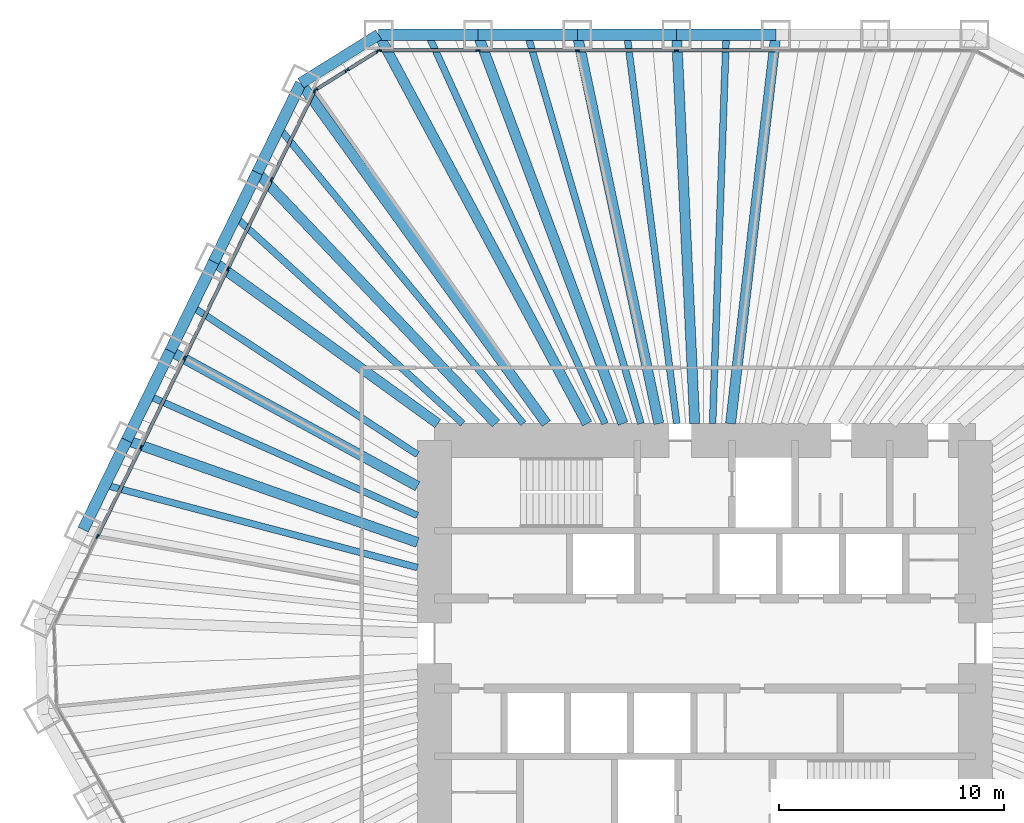
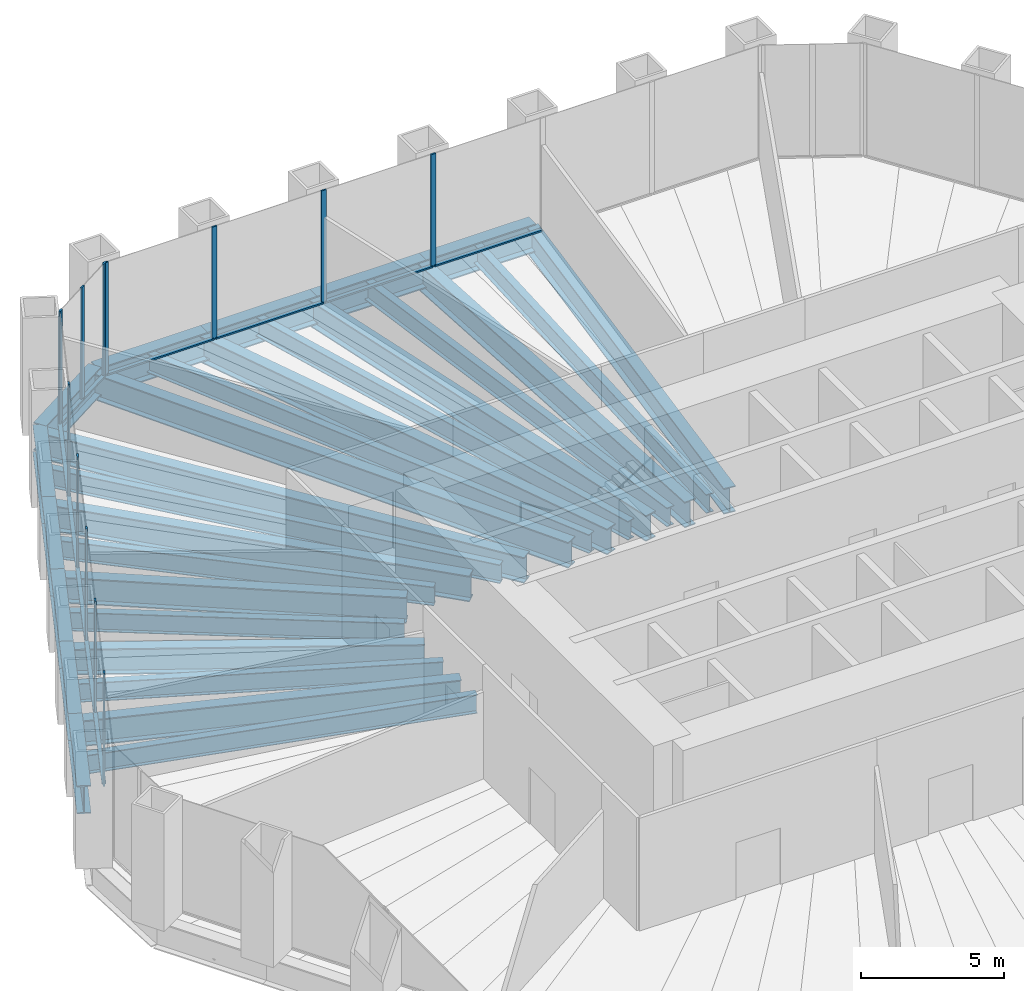
# One storey, part 6 of 13: 29 beams, 24 members, 3 elements without a shape of their own.
"""IFC4 building model written with IfcOpenShell, lengths in metres."""

from ifc_helpers import new_model, si_unit, direction, frame, origin, origin_2d, place, context, subcontext, project, spatial, rectangle, i_section, extrude, material, material_profile, profile_set, type_object, element, aggregate, save


model = new_model("IFC4")

# Units and contexts
model_context = context("Model", 3, precision=1e-05, world=origin(), true_north=direction((0.0, 1.0)))
body_context = subcontext(model_context, "Body", "Model", "MODEL_VIEW")
ifc_project = project(units=[si_unit("LENGTHUNIT", "METRE"), si_unit("AREAUNIT", "SQUARE_METRE"), si_unit("VOLUMEUNIT", "CUBIC_METRE"), si_unit("PLANEANGLEUNIT", "RADIAN"), si_unit("MASSUNIT", "GRAM", prefix="KILO")], contexts=[model_context])

# Site, building, storey
site_placement = place(None, origin())
site = spatial("IfcSite", under=ifc_project, at=site_placement, CompositionType="ELEMENT")
building_placement = place(site_placement, origin())
building = spatial("IfcBuilding", under=site, at=building_placement, Name="Qingtian Harvest Tower", CompositionType="ELEMENT")
storey_placement = place(building_placement, frame((0.0, 0.0, 62.0)))
storey = spatial("IfcBuildingStorey", under=building, at=storey_placement, Name="L12", CompositionType="ELEMENT", Elevation=62.0)

# Beams
ifc_material_1 = material(Name="Steel SM570MC", Category="steel")
ifc_material_profile_1 = material_profile(ifc_material_1, i_section(OverallWidth=0.449951171875, OverallDepth=1.10009765625, WebThickness=0.02197265625, FlangeThickness=0.044921875, at=origin_2d()), Name="H1100x450x22x45")
ifc_profile_set_1 = profile_set([ifc_material_profile_1], Name="Steel SM570MC")
beam_type_1 = type_object("IfcBeamType", Name="Corner floor beam FB8 H1100x450x22x45", PredefinedType="BEAM", material=ifc_profile_set_1)
beam_1_placement = place(storey_placement, frame((-14.471435546875, 27.0, -0.75), z_axis=(0.472401408299, -0.881383520062, 0.0), x_axis=(0.881383520062, 0.472401408299, 0.0)))
element("IfcBeam", 1, at=beam_1_placement, inside=storey, type_object=beam_type_1, Name="Floor beam FB8 N0", PredefinedType="BEAM", context=body_context, shape_type="SweptSolid", body=[
    extrude(i_section(OverallWidth=0.449951171875, OverallDepth=1.10009765625, WebThickness=0.02197265625, FlangeThickness=0.044921875, at=origin_2d()), origin(), (0.0, 0.0, 1.0), 19.571533203125),
])
beam_2_placement = place(storey_placement, frame((-17.923583984375, 24.8427734375, -0.75), z_axis=(0.585095822328, -0.810964166098, 0.0), x_axis=(0.810964166098, 0.585095822328, 0.0)))
element("IfcBeam", 2, at=beam_2_placement, inside=storey, type_object=beam_type_1, Name="Floor beam FB8 NW6", PredefinedType="BEAM", context=body_context, shape_type="SweptSolid", body=[
    extrude(i_section(OverallWidth=0.449951171875, OverallDepth=1.10009765625, WebThickness=0.02197265625, FlangeThickness=0.044921875, at=origin_2d()), origin(), (0.0, 0.0, 1.0), 18.61083984375),
])
ifc_material_2 = material(Name="Steel SM570MC", Category="steel")
ifc_material_profile_2 = material_profile(ifc_material_2, i_section(OverallWidth=0.449951171875, OverallDepth=1.10009765625, WebThickness=0.02197265625, FlangeThickness=0.044921875, at=origin_2d()), Name="H1100x450x22x45")
ifc_profile_set_2 = profile_set([ifc_material_profile_2], Name="Steel SM570MC")
beam_type_2 = type_object("IfcBeamType", Name="Floor beam FB1 H1100x450x22x45", PredefinedType="BEAM", material=ifc_profile_set_2)
beam_3_placement = place(storey_placement, frame((-10.06689453125, 27.0, -0.75), z_axis=(0.349355612113, -0.936990211414, 0.0), x_axis=(0.936990211414, 0.349355612113, 0.0)))
element("IfcBeam", 3, at=beam_3_placement, inside=storey, type_object=beam_type_2, Name="Floor beam FB1 N1", PredefinedType="BEAM", context=body_context, shape_type="SweptSolid", body=[
    extrude(i_section(OverallWidth=0.449951171875, OverallDepth=1.10009765625, WebThickness=0.02197265625, FlangeThickness=0.044921875, at=origin_2d()), origin(), (0.0, 0.0, 1.0), 18.409912109375),
])
beam_4_placement = place(storey_placement, frame((-5.662353515625, 27.0, -0.75), z_axis=(0.205255077335, -0.978708512903, 0.0), x_axis=(0.978708512903, 0.205255077335, 0.0)))
element("IfcBeam", 4, at=beam_4_placement, inside=storey, type_object=beam_type_2, Name="Floor beam FB1 N2", PredefinedType="BEAM", context=body_context, shape_type="SweptSolid", body=[
    extrude(i_section(OverallWidth=0.449951171875, OverallDepth=1.10009765625, WebThickness=0.02197265625, FlangeThickness=0.044921875, at=origin_2d()), origin(), (0.0, 0.0, 1.0), 17.625244140625),
])
beam_5_placement = place(storey_placement, frame((-1.257568359375, 27.0, -0.75), z_axis=(0.046527342366, -0.99891701678, 0.0), x_axis=(0.99891701678, 0.046527342366, 0.0)))
element("IfcBeam", 5, at=beam_5_placement, inside=storey, type_object=beam_type_2, Name="Floor beam FB1 N3", PredefinedType="BEAM", context=body_context, shape_type="SweptSolid", body=[
    extrude(i_section(OverallWidth=0.449951171875, OverallDepth=1.10009765625, WebThickness=0.02197265625, FlangeThickness=0.044921875, at=origin_2d()), origin(), (0.0, 0.0, 1.0), 17.268798828125),
])
beam_6_placement = place(storey_placement, frame((3.14697265625, 27.0, -0.75), z_axis=(-0.115766971807, -0.993276400726, 0.0), x_axis=(0.993276400726, -0.115766971807, 0.0)))
element("IfcBeam", 6, at=beam_6_placement, inside=storey, type_object=beam_type_2, Name="Floor beam FB1 N4", PredefinedType="BEAM", context=body_context, shape_type="SweptSolid", body=[
    extrude(i_section(OverallWidth=0.449951171875, OverallDepth=1.10009765625, WebThickness=0.02197265625, FlangeThickness=0.044921875, at=origin_2d()), origin(), (0.0, 0.0, 1.0), 17.36669921875),
])
beam_7_placement = place(storey_placement, frame((-25.64697265625, 9.007568359375, -0.75), z_axis=(0.943501950009, -0.331366972296, 0.0), x_axis=(0.331366972296, 0.943501950009, 0.0)))
element("IfcBeam", 7, at=beam_7_placement, inside=storey, type_object=beam_type_2, Name="Floor beam FB1 NW2", PredefinedType="BEAM", context=body_context, shape_type="SweptSolid", body=[
    extrude(i_section(OverallWidth=0.449951171875, OverallDepth=1.10009765625, WebThickness=0.02197265625, FlangeThickness=0.044921875, at=origin_2d()), origin(), (0.0, 0.0, 1.0), 13.669189453125),
])
beam_8_placement = place(storey_placement, frame((-23.716064453125, 12.96630859375, -0.75), z_axis=(0.877428569154, -0.479707312882, 0.0), x_axis=(0.479707312882, 0.877428569154, 0.0)))
element("IfcBeam", 8, at=beam_8_placement, inside=storey, type_object=beam_type_2, Name="Floor beam FB1 NW3", PredefinedType="BEAM", context=body_context, shape_type="SweptSolid", body=[
    extrude(i_section(OverallWidth=0.449951171875, OverallDepth=1.10009765625, WebThickness=0.02197265625, FlangeThickness=0.044921875, at=origin_2d()), origin(), (0.0, 0.0, 1.0), 12.498046875),
])
beam_9_placement = place(storey_placement, frame((-21.78515625, 16.92529296875, -0.75), z_axis=(0.810680279019, -0.585489099139, 0.0), x_axis=(0.585489099139, 0.810680279019, 0.0)))
element("IfcBeam", 9, at=beam_9_placement, inside=storey, type_object=beam_type_2, Name="Floor beam FB1 NW4", PredefinedType="BEAM", context=body_context, shape_type="SweptSolid", body=[
    extrude(i_section(OverallWidth=0.449951171875, OverallDepth=1.10009765625, WebThickness=0.02197265625, FlangeThickness=0.044921875, at=origin_2d()), origin(), (0.0, 0.0, 1.0), 12.255126953125),
])
beam_10_placement = place(storey_placement, frame((-19.8544921875, 20.884033203125, -0.75), z_axis=(0.689018801535, -0.724743465739, 0.0), x_axis=(0.724743465739, 0.689018801535, 0.0)))
element("IfcBeam", 10, at=beam_10_placement, inside=storey, type_object=beam_type_2, Name="Floor beam FB1 NW5", PredefinedType="BEAM", context=body_context, shape_type="SweptSolid", body=[
    extrude(i_section(OverallWidth=0.449951171875, OverallDepth=1.10009765625, WebThickness=0.02197265625, FlangeThickness=0.044921875, at=origin_2d()), origin(), (0.0, 0.0, 1.0), 15.36279296875),
])
ifc_material_3 = material(Name="Steel SN490B", Category="steel")
ifc_material_profile_3 = material_profile(ifc_material_3, i_section(OverallWidth=0.300048828125, OverallDepth=0.800048828125, WebThickness=0.013916015625, FlangeThickness=0.02587890625, at=origin_2d()), Name="H800x300x14x26")
ifc_profile_set_3 = profile_set([ifc_material_profile_3], Name="Steel SN490B")
beam_type_3 = type_object("IfcBeamType", Name="Floor joist J1 H800x300x14x26", PredefinedType="JOIST", material=ifc_profile_set_3)
beam_11_placement = place(storey_placement, frame((-12.269287109375, 27.0, -0.60009765625), z_axis=(0.413713629402, -0.910407069858, 0.0), x_axis=(0.910407069858, 0.413713629402, 0.0)))
element("IfcBeam", 11, at=beam_11_placement, inside=storey, type_object=beam_type_3, Name="Floor joist J1 N0", PredefinedType="JOIST", context=body_context, shape_type="SweptSolid", body=[
    extrude(i_section(OverallWidth=0.300048828125, OverallDepth=0.800048828125, WebThickness=0.013916015625, FlangeThickness=0.02587890625, at=origin_2d()), origin(), (0.0, 0.0, 1.0), 18.947509765625),
])
beam_12_placement = place(storey_placement, frame((-7.864501953125, 27.0, -0.60009765625), z_axis=(0.279649335299, -0.960102207719, 0.0), x_axis=(0.960102207719, 0.279649335299, 0.0)))
element("IfcBeam", 12, at=beam_12_placement, inside=storey, type_object=beam_type_3, Name="Floor joist J1 N1", PredefinedType="JOIST", context=body_context, shape_type="SweptSolid", body=[
    extrude(i_section(OverallWidth=0.300048828125, OverallDepth=0.800048828125, WebThickness=0.013916015625, FlangeThickness=0.02587890625, at=origin_2d()), origin(), (0.0, 0.0, 1.0), 17.966796875),
])
beam_13_placement = place(storey_placement, frame((-3.4599609375, 27.0, -0.60009765625), z_axis=(0.127102696173, -0.991889562716, 0.0), x_axis=(0.991889562716, 0.127102696173, 0.0)))
element("IfcBeam", 13, at=beam_13_placement, inside=storey, type_object=beam_type_3, Name="Floor joist J1 N2", PredefinedType="JOIST", context=body_context, shape_type="SweptSolid", body=[
    extrude(i_section(OverallWidth=0.300048828125, OverallDepth=0.800048828125, WebThickness=0.013916015625, FlangeThickness=0.02587890625, at=origin_2d()), origin(), (0.0, 0.0, 1.0), 17.39111328125),
])
beam_14_placement = place(storey_placement, frame((0.944580078125, 27.0, -0.60009765625), z_axis=(-0.034965020137, -0.99938853674, 0.0), x_axis=(0.99938853674, -0.034965020137, 0.0)))
element("IfcBeam", 14, at=beam_14_placement, inside=storey, type_object=beam_type_3, Name="Floor joist J1 N3", PredefinedType="JOIST", context=body_context, shape_type="SweptSolid", body=[
    extrude(i_section(OverallWidth=0.300048828125, OverallDepth=0.800048828125, WebThickness=0.013916015625, FlangeThickness=0.02587890625, at=origin_2d()), origin(), (0.0, 0.0, 1.0), 17.260498046875),
])
beam_15_placement = place(storey_placement, frame((-26.6123046875, 7.028076171875, -0.60009765625), z_axis=(0.966852496992, -0.255335561684, 0.0), x_axis=(0.255335561684, 0.966852496992, 0.0)))
element("IfcBeam", 15, at=beam_15_placement, inside=storey, type_object=beam_type_3, Name="Floor joist J1 NW1", PredefinedType="JOIST", context=body_context, shape_type="SweptSolid", body=[
    extrude(i_section(OverallWidth=0.300048828125, OverallDepth=0.800048828125, WebThickness=0.013916015625, FlangeThickness=0.02587890625, at=origin_2d()), origin(), (0.0, 0.0, 1.0), 14.337646484375),
])
beam_16_placement = place(storey_placement, frame((-24.681640625, 10.987060546875, -0.60009765625), z_axis=(0.913567796195, -0.406686466157, 0.0), x_axis=(0.406686466157, 0.913567796195, 0.0)))
element("IfcBeam", 16, at=beam_16_placement, inside=storey, type_object=beam_type_3, Name="Floor joist J1 NW2", PredefinedType="JOIST", context=body_context, shape_type="SweptSolid", body=[
    extrude(i_section(OverallWidth=0.300048828125, OverallDepth=0.800048828125, WebThickness=0.013916015625, FlangeThickness=0.02587890625, at=origin_2d()), origin(), (0.0, 0.0, 1.0), 13.060546875),
])
beam_17_placement = place(storey_placement, frame((-22.750732421875, 14.94580078125, -0.60009765625), z_axis=(0.835785467613, -0.549056146607, 0.0), x_axis=(0.549056146607, 0.835785467613, 0.0)))
element("IfcBeam", 17, at=beam_17_placement, inside=storey, type_object=beam_type_3, Name="Floor joist J1 NW3", PredefinedType="JOIST", context=body_context, shape_type="SweptSolid", body=[
    extrude(i_section(OverallWidth=0.300048828125, OverallDepth=0.800048828125, WebThickness=0.013916015625, FlangeThickness=0.02587890625, at=origin_2d()), origin(), (0.0, 0.0, 1.0), 11.965576171875),
])
beam_18_placement = place(storey_placement, frame((-20.81982421875, 18.904541015625, -0.60009765625), z_axis=(0.740339866926, -0.672232758381, 0.0), x_axis=(0.672232758381, 0.740339866926, 0.0)))
element("IfcBeam", 18, at=beam_18_placement, inside=storey, type_object=beam_type_3, Name="Floor joist J1 NW4", PredefinedType="JOIST", context=body_context, shape_type="SweptSolid", body=[
    extrude(i_section(OverallWidth=0.300048828125, OverallDepth=0.800048828125, WebThickness=0.013916015625, FlangeThickness=0.02587890625, at=origin_2d()), origin(), (0.0, 0.0, 1.0), 13.6181640625),
])
beam_19_placement = place(storey_placement, frame((-18.888916015625, 22.863525390625, -0.60009765625), z_axis=(0.636910378144, -0.77093785107, 0.0), x_axis=(0.77093785107, 0.636910378144, 0.0)))
element("IfcBeam", 19, at=beam_19_placement, inside=storey, type_object=beam_type_3, Name="Floor joist J1 NW5", PredefinedType="JOIST", context=body_context, shape_type="SweptSolid", body=[
    extrude(i_section(OverallWidth=0.300048828125, OverallDepth=0.800048828125, WebThickness=0.013916015625, FlangeThickness=0.02587890625, at=origin_2d()), origin(), (0.0, 0.0, 1.0), 17.009765625),
])

# Curtain wall, members
ifc_material_4 = material(Name="Bronze-anodised aluminium curtain wall", Category="aluminium")
curtain_wall_type = type_object("IfcCurtainWallType", Name="Curtain wall CW2 farm reception", PredefinedType="USERDEFINED", material=ifc_material_4)
curtain_wall_1_placement = place(storey_placement, origin())
curtain_wall_1 = element("IfcCurtainWall", 20, at=curtain_wall_1_placement, inside=storey, type_object=curtain_wall_type, Name="Curtain wall CW2 L12 N0-5", ObjectType="RECESSED CURTAIN WALL", PredefinedType="USERDEFINED")
ifc_material_5 = material(Name="Bronze-anodised aluminium mullion", Category="aluminium")
ifc_material_profile_4 = material_profile(ifc_material_5, rectangle(XDim=0.06494140625, YDim=0.199951171875, at=origin_2d()), Name="AL 65x200")
ifc_profile_set_4 = profile_set([ifc_material_profile_4], Name="Bronze-anodised aluminium mullion")
member_type_1 = type_object("IfcMemberType", Name="Mullion CWM 65x200", PredefinedType="MULLION", material=ifc_profile_set_4)
member_1_placement = place(storey_placement, frame((-14.43896484375, 26.300048828125, 0.0), z_axis=(0.0, 0.0, 1.0), x_axis=(0.0, 1.0, 0.0)))
member_1 = element("IfcMember", 21, at=member_1_placement, type_object=member_type_1, Name="CW2 mullion 1", PredefinedType="MULLION", context=body_context, shape_type="SweptSolid", body=[
    extrude(rectangle(XDim=0.06494140625, YDim=0.199951171875, at=origin_2d()), origin(), (0.0, 0.0, 1.0), 4.800048828125),
])
member_2_placement = place(storey_placement, frame((-10.06689453125, 26.300048828125, 0.0), z_axis=(0.0, 0.0, 1.0), x_axis=(0.0, 1.0, 0.0)))
member_2 = element("IfcMember", 22, at=member_2_placement, type_object=member_type_1, Name="CW2 mullion 2", PredefinedType="MULLION", context=body_context, shape_type="SweptSolid", body=[
    extrude(rectangle(XDim=0.06494140625, YDim=0.199951171875, at=origin_2d()), origin(), (0.0, 0.0, 1.0), 4.800048828125),
])
member_3_placement = place(storey_placement, frame((-5.662353515625, 26.300048828125, 0.0), z_axis=(0.0, 0.0, 1.0), x_axis=(0.0, 1.0, 0.0)))
member_3 = element("IfcMember", 23, at=member_3_placement, type_object=member_type_1, Name="CW2 mullion 3", PredefinedType="MULLION", context=body_context, shape_type="SweptSolid", body=[
    extrude(rectangle(XDim=0.06494140625, YDim=0.199951171875, at=origin_2d()), origin(), (0.0, 0.0, 1.0), 4.800048828125),
])
member_4_placement = place(storey_placement, frame((-1.257568359375, 26.300048828125, 0.0), z_axis=(0.0, 0.0, 1.0), x_axis=(0.0, 1.0, 0.0)))
member_4 = element("IfcMember", 24, at=member_4_placement, type_object=member_type_1, Name="CW2 mullion 4", PredefinedType="MULLION", context=body_context, shape_type="SweptSolid", body=[
    extrude(rectangle(XDim=0.06494140625, YDim=0.199951171875, at=origin_2d()), origin(), (0.0, 0.0, 1.0), 4.800048828125),
])

curtain_wall_2_placement = place(storey_placement, origin())
curtain_wall_2 = element("IfcCurtainWall", 25, at=curtain_wall_2_placement, inside=storey, type_object=curtain_wall_type, Name="Curtain wall CW2 L12 NW0-5", ObjectType="RECESSED CURTAIN WALL", PredefinedType="USERDEFINED")
member_5_placement = place(storey_placement, frame((-26.94873046875, 4.741943359375, 0.0), z_axis=(0.0, 0.0, 1.0), x_axis=(-0.898794046299, 0.438371146789, 0.0)))
member_5 = element("IfcMember", 26, at=member_5_placement, type_object=member_type_1, Name="CW2 mullion 2", PredefinedType="MULLION", context=body_context, shape_type="SweptSolid", body=[
    extrude(rectangle(XDim=0.06494140625, YDim=0.199951171875, at=origin_2d()), origin(), (0.0, 0.0, 1.0), 4.800048828125),
])
member_6_placement = place(storey_placement, frame((-25.017822265625, 8.70068359375, 0.0), z_axis=(0.0, 0.0, 1.0), x_axis=(-0.898794046299, 0.438371146789, 0.0)))
member_6 = element("IfcMember", 27, at=member_6_placement, type_object=member_type_1, Name="CW2 mullion 3", PredefinedType="MULLION", context=body_context, shape_type="SweptSolid", body=[
    extrude(rectangle(XDim=0.06494140625, YDim=0.199951171875, at=origin_2d()), origin(), (0.0, 0.0, 1.0), 4.800048828125),
])
member_7_placement = place(storey_placement, frame((-23.0869140625, 12.659423828125, 0.0), z_axis=(0.0, 0.0, 1.0), x_axis=(-0.898794046299, 0.438371146789, 0.0)))
member_7 = element("IfcMember", 28, at=member_7_placement, type_object=member_type_1, Name="CW2 mullion 4", PredefinedType="MULLION", context=body_context, shape_type="SweptSolid", body=[
    extrude(rectangle(XDim=0.06494140625, YDim=0.199951171875, at=origin_2d()), origin(), (0.0, 0.0, 1.0), 4.800048828125),
])
member_8_placement = place(storey_placement, frame((-21.156005859375, 16.618408203125, 0.0), z_axis=(0.0, 0.0, 1.0), x_axis=(-0.898794046299, 0.438371146789, 0.0)))
member_8 = element("IfcMember", 29, at=member_8_placement, type_object=member_type_1, Name="CW2 mullion 5", PredefinedType="MULLION", context=body_context, shape_type="SweptSolid", body=[
    extrude(rectangle(XDim=0.06494140625, YDim=0.199951171875, at=origin_2d()), origin(), (0.0, 0.0, 1.0), 4.800048828125),
])
member_9_placement = place(storey_placement, frame((-19.225341796875, 20.5771484375, 0.0), z_axis=(0.0, 0.0, 1.0), x_axis=(-0.898794046299, 0.438371146789, 0.0)))
member_9 = element("IfcMember", 30, at=member_9_placement, type_object=member_type_1, Name="CW2 mullion 6", PredefinedType="MULLION", context=body_context, shape_type="SweptSolid", body=[
    extrude(rectangle(XDim=0.06494140625, YDim=0.199951171875, at=origin_2d()), origin(), (0.0, 0.0, 1.0), 4.800048828125),
])
member_10_placement = place(storey_placement, frame((-17.30859375, 24.5068359375, 0.0), z_axis=(0.0, 0.0, 1.0), x_axis=(-0.898794046299, 0.438371146789, 0.0)))
member_10 = element("IfcMember", 31, at=member_10_placement, type_object=member_type_1, Name="CW2 mullion 7", PredefinedType="MULLION", context=body_context, shape_type="SweptSolid", body=[
    extrude(rectangle(XDim=0.06494140625, YDim=0.199951171875, at=origin_2d()), origin(), (0.0, 0.0, 1.0), 4.800048828125),
])

curtain_wall_3_placement = place(storey_placement, origin())
curtain_wall_3 = element("IfcCurtainWall", 32, at=curtain_wall_3_placement, inside=storey, type_object=curtain_wall_type, Name="Curtain wall CW2 L12 NWC", ObjectType="RECESSED CURTAIN WALL", PredefinedType="USERDEFINED")
member_11_placement = place(storey_placement, frame((-17.266845703125, 24.55322265625, 0.0), z_axis=(0.0, 0.0, 1.0), x_axis=(-0.529919264233, 0.848048096156, 0.0)))
member_11 = element("IfcMember", 33, at=member_11_placement, type_object=member_type_1, Name="CW2 mullion 1", PredefinedType="MULLION", context=body_context, shape_type="SweptSolid", body=[
    extrude(rectangle(XDim=0.06494140625, YDim=0.199951171875, at=origin_2d()), origin(), (0.0, 0.0, 1.0), 4.800048828125),
])
member_12_placement = place(storey_placement, frame((-15.883056640625, 25.41796875, 0.0), z_axis=(0.0, 0.0, 1.0), x_axis=(-0.529919264233, 0.848048096156, 0.0)))
member_12 = element("IfcMember", 34, at=member_12_placement, type_object=member_type_1, Name="CW2 mullion 2", PredefinedType="MULLION", context=body_context, shape_type="SweptSolid", body=[
    extrude(rectangle(XDim=0.06494140625, YDim=0.199951171875, at=origin_2d()), origin(), (0.0, 0.0, 1.0), 4.800048828125),
])
member_13_placement = place(storey_placement, frame((-14.4990234375, 26.28271484375, 0.0), z_axis=(0.0, 0.0, 1.0), x_axis=(-0.529919264233, 0.848048096156, 0.0)))
member_13 = element("IfcMember", 35, at=member_13_placement, type_object=member_type_1, Name="CW2 mullion 3", PredefinedType="MULLION", context=body_context, shape_type="SweptSolid", body=[
    extrude(rectangle(XDim=0.06494140625, YDim=0.199951171875, at=origin_2d()), origin(), (0.0, 0.0, 1.0), 4.800048828125),
])

# Beams
ifc_material_6 = material(Name="Steel SM570MC", Category="steel")
ifc_material_profile_5 = material_profile(ifc_material_6, i_section(OverallWidth=0.5, OverallDepth=1.199951171875, WebThickness=0.02490234375, FlangeThickness=0.050048828125, at=origin_2d()), Name="H1200x500x25x50")
ifc_profile_set_5 = profile_set([ifc_material_profile_5], Name="Steel SM570MC")
beam_type_4 = type_object("IfcBeamType", Name="Spandrel beam SB1 H1200x500x25x50", PredefinedType="SPANDREL", material=ifc_profile_set_5)
for number, where, z_axis, x_axis, name in (
    (36, (-14.471435546875, 27.0, -0.60009765625), (1.0, 0.0, 0.0), (0.0, 1.0, 0.0), "Spandrel SB1 N0"),
    (37, (-10.06689453125, 27.0, -0.60009765625), (1.0, 0.0, 0.0), (0.0, 1.0, 0.0), "Spandrel SB1 N1"),
):
    element("IfcBeam", number, at=place(storey_placement, frame(where, z_axis=z_axis, x_axis=x_axis)), inside=storey, type_object=beam_type_4, Name=name, PredefinedType="SPANDREL", context=body_context, shape_type="SweptSolid", body=[
        extrude(i_section(OverallWidth=0.5, OverallDepth=1.199951171875, WebThickness=0.02490234375, FlangeThickness=0.050048828125, at=origin_2d()), origin(), (0.0, 0.0, 1.0), 4.404541015625),
    ])
beam_20_placement = place(storey_placement, frame((-5.662353515625, 27.0, -0.60009765625), z_axis=(1.0, 0.0, 0.0), x_axis=(0.0, 1.0, 0.0)))
element("IfcBeam", 38, at=beam_20_placement, inside=storey, type_object=beam_type_4, Name="Spandrel SB1 N2", PredefinedType="SPANDREL", context=body_context, shape_type="SweptSolid", body=[
    extrude(i_section(OverallWidth=0.5, OverallDepth=1.199951171875, WebThickness=0.02490234375, FlangeThickness=0.050048828125, at=origin_2d()), origin(), (0.0, 0.0, 1.0), 4.40478515625),
])
for number, where, z_axis, x_axis, name in (
    (39, (-1.257568359375, 27.0, -0.60009765625), (1.0, 0.0, 0.0), (0.0, 1.0, 0.0), "Spandrel SB1 N3"),
    (40, (-27.577880859375, 5.048828125, -0.60009765625), (0.438389777529, 0.898784959241, 0.0), (-0.898784959241, 0.438389777529, 0.0), "Spandrel SB1 NW1"),
    (41, (-25.64697265625, 9.007568359375, -0.60009765625), (0.438389777529, 0.898784959241, 0.0), (-0.898784959241, 0.438389777529, 0.0), "Spandrel SB1 NW2"),
):
    element("IfcBeam", number, at=place(storey_placement, frame(where, z_axis=z_axis, x_axis=x_axis)), inside=storey, type_object=beam_type_4, Name=name, PredefinedType="SPANDREL", context=body_context, shape_type="SweptSolid", body=[
        extrude(i_section(OverallWidth=0.5, OverallDepth=1.199951171875, WebThickness=0.02490234375, FlangeThickness=0.050048828125, at=origin_2d()), origin(), (0.0, 0.0, 1.0), 4.404541015625),
    ])
beam_21_placement = place(storey_placement, frame((-23.716064453125, 12.96630859375, -0.60009765625), z_axis=(0.438367938366, 0.898795611145, 0.0), x_axis=(-0.898795611145, 0.438367938366, 0.0)))
element("IfcBeam", 42, at=beam_21_placement, inside=storey, type_object=beam_type_4, Name="Spandrel SB1 NW3", PredefinedType="SPANDREL", context=body_context, shape_type="SweptSolid", body=[
    extrude(i_section(OverallWidth=0.5, OverallDepth=1.199951171875, WebThickness=0.02490234375, FlangeThickness=0.050048828125, at=origin_2d()), origin(), (0.0, 0.0, 1.0), 4.40478515625),
])
for number, where, z_axis, x_axis, name in (
    (43, (-21.78515625, 16.92529296875, -0.60009765625), (0.438344999367, 0.898806798778, 0.0), (-0.898806798778, 0.438344999367, 0.0), "Spandrel SB1 NW4"),
    (44, (-19.8544921875, 20.884033203125, -0.60009765625), (0.438389777529, 0.898784959241, 0.0), (-0.898784959241, 0.438389777529, 0.0), "Spandrel SB1 NW5"),
):
    element("IfcBeam", number, at=place(storey_placement, frame(where, z_axis=z_axis, x_axis=x_axis)), inside=storey, type_object=beam_type_4, Name=name, PredefinedType="SPANDREL", context=body_context, shape_type="SweptSolid", body=[
        extrude(i_section(OverallWidth=0.5, OverallDepth=1.199951171875, WebThickness=0.02490234375, FlangeThickness=0.050048828125, at=origin_2d()), origin(), (0.0, 0.0, 1.0), 4.404541015625),
    ])
beam_22_placement = place(storey_placement, frame((-17.923583984375, 24.8427734375, -0.60009765625), z_axis=(0.848038733752, 0.529934246919, 0.0), x_axis=(-0.529934246919, 0.848038733752, 0.0)))
element("IfcBeam", 45, at=beam_22_placement, inside=storey, type_object=beam_type_4, Name="Spandrel SB1 NWC", PredefinedType="SPANDREL", context=body_context, shape_type="SweptSolid", body=[
    extrude(i_section(OverallWidth=0.5, OverallDepth=1.199951171875, WebThickness=0.02490234375, FlangeThickness=0.050048828125, at=origin_2d()), origin(), (0.0, 0.0, 1.0), 4.07080078125),
])

# Member
ifc_material_7 = material(Name="Bronze-anodised aluminium transom", Category="aluminium")
ifc_material_profile_6 = material_profile(ifc_material_7, rectangle(XDim=0.14990234375, YDim=0.06494140625, at=origin_2d()), Name="AL 65x150")
ifc_profile_set_6 = profile_set([ifc_material_profile_6], Name="Bronze-anodised aluminium transom")
member_type_2 = type_object("IfcMemberType", Name="Transom CWT 65x150", PredefinedType="USERDEFINED", material=ifc_profile_set_6)
member_14_placement = place(storey_placement, frame((-14.406494140625, 26.300048828125, 0.032470703125), z_axis=(1.0, 0.0, 0.0), x_axis=(0.0, 1.0, 0.0)))
member_14 = element("IfcMember", 46, at=member_14_placement, type_object=member_type_2, Name="CW2 transom 1.1", ObjectType="TRANSOM", PredefinedType="USERDEFINED", context=body_context, shape_type="SweptSolid", body=[
    extrude(rectangle(XDim=0.14990234375, YDim=0.06494140625, at=origin_2d()), origin(), (0.0, 0.0, 1.0), 4.30712890625),
])

member_15_placement = place(storey_placement, frame((-10.034423828125, 26.300048828125, 0.032470703125), z_axis=(1.0, 0.0, 0.0), x_axis=(0.0, 1.0, 0.0)))
member_15 = element("IfcMember", 47, at=member_15_placement, type_object=member_type_2, Name="CW2 transom 2.1", ObjectType="TRANSOM", PredefinedType="USERDEFINED", context=body_context, shape_type="SweptSolid", body=[
    extrude(rectangle(XDim=0.14990234375, YDim=0.06494140625, at=origin_2d()), origin(), (0.0, 0.0, 1.0), 4.339599609375),
])

member_16_placement = place(storey_placement, frame((-5.6298828125, 26.300048828125, 0.032470703125), z_axis=(1.0, 0.0, 0.0), x_axis=(0.0, 1.0, 0.0)))
member_16 = element("IfcMember", 48, at=member_16_placement, type_object=member_type_2, Name="CW2 transom 3.1", ObjectType="TRANSOM", PredefinedType="USERDEFINED", context=body_context, shape_type="SweptSolid", body=[
    extrude(rectangle(XDim=0.14990234375, YDim=0.06494140625, at=origin_2d()), origin(), (0.0, 0.0, 1.0), 4.33984375),
])

member_17_placement = place(storey_placement, frame((-1.22509765625, 26.300048828125, 0.032470703125), z_axis=(1.0, 0.0, 0.0), x_axis=(0.0, 1.0, 0.0)))
member_17 = element("IfcMember", 49, at=member_17_placement, type_object=member_type_2, Name="CW2 transom 4.1", ObjectType="TRANSOM", PredefinedType="USERDEFINED", context=body_context, shape_type="SweptSolid", body=[
    extrude(rectangle(XDim=0.14990234375, YDim=0.06494140625, at=origin_2d()), origin(), (0.0, 0.0, 1.0), 4.339599609375),
])

aggregate(curtain_wall_1, [member_1, member_2, member_3, member_4, member_14, member_15, member_16, member_17])

member_18_placement = place(storey_placement, frame((-26.934326171875, 4.77099609375, 0.032470703125), z_axis=(0.438370427127, 0.898794397302, 0.0), x_axis=(-0.898794397302, 0.438370427127, 0.0)))
member_18 = element("IfcMember", 50, at=member_18_placement, type_object=member_type_2, Name="CW2 transom 2.1", ObjectType="TRANSOM", PredefinedType="USERDEFINED", context=body_context, shape_type="SweptSolid", body=[
    extrude(rectangle(XDim=0.14990234375, YDim=0.06494140625, at=origin_2d()), origin(), (0.0, 0.0, 1.0), 4.339599609375),
])

member_19_placement = place(storey_placement, frame((-25.003662109375, 8.72998046875, 0.032470703125), z_axis=(0.438370427127, 0.898794397302, 0.0), x_axis=(-0.898794397302, 0.438370427127, 0.0)))
member_19 = element("IfcMember", 51, at=member_19_placement, type_object=member_type_2, Name="CW2 transom 3.1", ObjectType="TRANSOM", PredefinedType="USERDEFINED", context=body_context, shape_type="SweptSolid", body=[
    extrude(rectangle(XDim=0.14990234375, YDim=0.06494140625, at=origin_2d()), origin(), (0.0, 0.0, 1.0), 4.339599609375),
])

member_20_placement = place(storey_placement, frame((-23.07275390625, 12.688720703125, 0.032470703125), z_axis=(0.438370427127, 0.898794397302, 0.0), x_axis=(-0.898794397302, 0.438370427127, 0.0)))
member_20 = element("IfcMember", 52, at=member_20_placement, type_object=member_type_2, Name="CW2 transom 4.1", ObjectType="TRANSOM", PredefinedType="USERDEFINED", context=body_context, shape_type="SweptSolid", body=[
    extrude(rectangle(XDim=0.14990234375, YDim=0.06494140625, at=origin_2d()), origin(), (0.0, 0.0, 1.0), 4.339599609375),
])

member_21_placement = place(storey_placement, frame((-21.141845703125, 16.6474609375, 0.032470703125), z_axis=(0.438348261778, 0.898805207704, 0.0), x_axis=(-0.898805207704, 0.438348261778, 0.0)))
member_21 = element("IfcMember", 53, at=member_21_placement, type_object=member_type_2, Name="CW2 transom 5.1", ObjectType="TRANSOM", PredefinedType="USERDEFINED", context=body_context, shape_type="SweptSolid", body=[
    extrude(rectangle(XDim=0.14990234375, YDim=0.06494140625, at=origin_2d()), origin(), (0.0, 0.0, 1.0), 4.33984375),
])

member_22_placement = place(storey_placement, frame((-19.2109375, 20.6064453125, 0.032470703125), z_axis=(0.438348803491, 0.89880494351, 0.0), x_axis=(-0.89880494351, 0.438348803491, 0.0)))
member_22 = element("IfcMember", 54, at=member_22_placement, type_object=member_type_2, Name="CW2 transom 6.1", ObjectType="TRANSOM", PredefinedType="USERDEFINED", context=body_context, shape_type="SweptSolid", body=[
    extrude(rectangle(XDim=0.14990234375, YDim=0.06494140625, at=origin_2d()), origin(), (0.0, 0.0, 1.0), 4.306884765625),
])

aggregate(curtain_wall_2, [member_5, member_6, member_7, member_8, member_9, member_10, member_18, member_19, member_20, member_21, member_22])

member_23_placement = place(storey_placement, frame((-17.2392578125, 24.570556640625, 0.032470703125), z_axis=(0.848059570903, 0.529900900357, 0.0), x_axis=(-0.529900900357, 0.848059570903, 0.0)))
member_23 = element("IfcMember", 55, at=member_23_placement, type_object=member_type_2, Name="CW2 transom 1.1", ObjectType="TRANSOM", PredefinedType="USERDEFINED", context=body_context, shape_type="SweptSolid", body=[
    extrude(rectangle(XDim=0.14990234375, YDim=0.06494140625, at=origin_2d()), origin(), (0.0, 0.0, 1.0), 1.56689453125),
])

member_24_placement = place(storey_placement, frame((-15.85546875, 25.435302734375, 0.032470703125), z_axis=(0.848059570903, 0.529900900357, 0.0), x_axis=(-0.529900900357, 0.848059570903, 0.0)))
member_24 = element("IfcMember", 56, at=member_24_placement, type_object=member_type_2, Name="CW2 transom 2.1", ObjectType="TRANSOM", PredefinedType="USERDEFINED", context=body_context, shape_type="SweptSolid", body=[
    extrude(rectangle(XDim=0.14990234375, YDim=0.06494140625, at=origin_2d()), origin(), (0.0, 0.0, 1.0), 1.56689453125),
])

aggregate(curtain_wall_3, [member_11, member_12, member_13, member_23, member_24])

save(model, "model.ifc")
